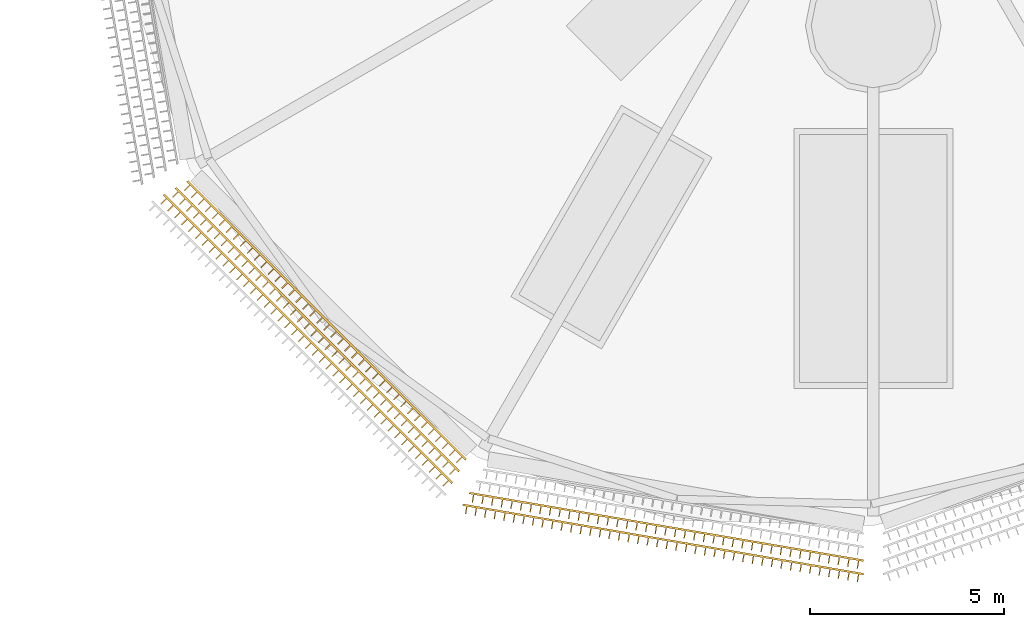
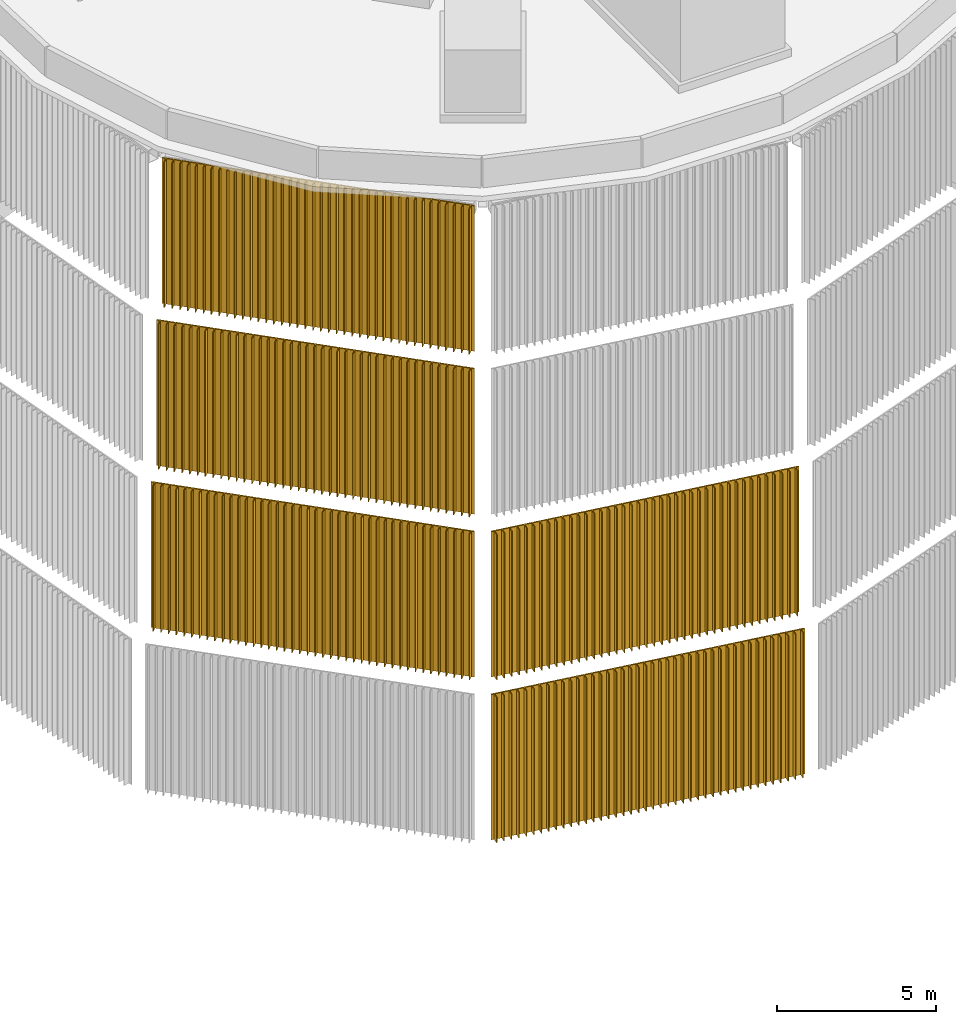
# One storey, part 13 of 24: 5 coverings.
"""IFC4 building model written with IfcOpenShell, lengths in metres."""

from ifc_helpers import new_model, si_unit, direction, frame, origin, place, context, subcontext, project, spatial, polyline, outline, extrude, material, type_object, element, save


model = new_model("IFC4")

# Units and contexts
model_context = context("Model", 3, precision=1e-05, world=origin(), true_north=direction((0.0, 1.0)))
body_context = subcontext(model_context, "Body", "Model", "MODEL_VIEW")
ifc_project = project(units=[si_unit("LENGTHUNIT", "METRE"), si_unit("AREAUNIT", "SQUARE_METRE"), si_unit("VOLUMEUNIT", "CUBIC_METRE"), si_unit("PLANEANGLEUNIT", "RADIAN"), si_unit("MASSUNIT", "GRAM", prefix="KILO")], contexts=[model_context])

# Site, building, storey
site_placement = place(None, origin())
site = spatial("IfcSite", under=ifc_project, at=site_placement, CompositionType="ELEMENT")
building_placement = place(site_placement, origin())
building = spatial("IfcBuilding", under=site, at=building_placement, Name="Rimbun Link Towers", CompositionType="ELEMENT")
storey_placement = place(building_placement, frame((0.0, 0.0, 294.89990234375)))
storey = spatial("IfcBuildingStorey", under=building, at=storey_placement, Name="Roof cap", CompositionType="ELEMENT", Elevation=294.89990234375)

# Coverings
ifc_material = material(Name="Terracotta", Category="masonry")
covering_type = type_object("IfcCoveringType", Name="TERRACOTTA CLADDING screen fins", PredefinedType="CLADDING", material=ifc_material)
covering_1_placement = place(storey_placement, frame((0.0, 0.0, -23.087890625)))
element("IfcCovering", 1, at=covering_1_placement, inside=storey, type_object=covering_type, Name="TERRACOTTA CLADDING screen", PredefinedType="CLADDING", context=body_context, shape_type="SweptSolid", body=[
    extrude(outline(polyline([(21.146484375, -18.873779296875), (21.2548828125, -18.892578125), (21.220703125, -19.089599609375), (21.250244140625, -19.0947265625), (21.284423828125, -18.897705078125), (21.501220703125, -18.935302734375), (21.46728515625, -19.13232421875), (21.49658203125, -19.137451171875), (21.53076171875, -18.9404296875), (21.747802734375, -18.97802734375), (21.713623046875, -19.175048828125), (21.7431640625, -19.18017578125), (21.77734375, -18.983154296875), (21.994140625, -19.020751953125), (21.9599609375, -19.2177734375), (21.989501953125, -19.222900390625), (22.023681640625, -19.02587890625), (22.240478515625, -19.0634765625), (22.206298828125, -19.260498046875), (22.236083984375, -19.265380859375), (22.27001953125, -19.068603515625), (22.487060546875, -19.10595703125), (22.452880859375, -19.302978515625), (22.482421875, -19.30810546875), (22.5166015625, -19.111083984375), (22.7333984375, -19.148681640625), (22.69921875, -19.345703125), (22.728759765625, -19.350830078125), (22.762939453125, -19.15380859375), (22.979736328125, -19.19140625), (22.94580078125, -19.388427734375), (22.97509765625, -19.3935546875), (23.009521484375, -19.196533203125), (23.226318359375, -19.234130859375), (23.192138671875, -19.43115234375), (23.2216796875, -19.436279296875), (23.255859375, -19.2392578125), (23.47265625, -19.276611328125), (23.4384765625, -19.473876953125), (23.468017578125, -19.47900390625), (23.502197265625, -19.281982421875), (23.718994140625, -19.3193359375), (23.684814453125, -19.5166015625), (23.714599609375, -19.521484375), (23.74853515625, -19.324462890625), (23.965576171875, -19.362060546875), (23.931396484375, -19.55908203125), (23.9609375, -19.564208984375), (23.9951171875, -19.3671875), (24.2119140625, -19.40478515625), (24.177734375, -19.601806640625), (24.207275390625, -19.60693359375), (24.241455078125, -19.409912109375), (24.458251953125, -19.447509765625), (24.42431640625, -19.64453125), (24.45361328125, -19.649658203125), (24.48779296875, -19.45263671875), (24.70458984375, -19.489990234375), (24.670654296875, -19.687255859375), (24.7001953125, -19.6923828125), (24.734375, -19.4951171875), (24.951171875, -19.53271484375), (24.9169921875, -19.72998046875), (24.946533203125, -19.735107421875), (24.980712890625, -19.537841796875), (25.197509765625, -19.575439453125), (25.163330078125, -19.7724609375), (25.193115234375, -19.777587890625), (25.22705078125, -19.58056640625), (25.444091796875, -19.6181640625), (25.409912109375, -19.815185546875), (25.439453125, -19.8203125), (25.473388671875, -19.623291015625), (25.6904296875, -19.660888671875), (25.65625, -19.85791015625), (25.685791015625, -19.863037109375), (25.719970703125, -19.666015625), (25.936767578125, -19.70361328125), (25.902587890625, -19.900634765625), (25.93212890625, -19.90576171875), (25.96630859375, -19.70849609375), (26.18310546875, -19.74609375), (26.149169921875, -19.943115234375), (26.1787109375, -19.948486328125), (26.212890625, -19.751220703125), (26.4296875, -19.788818359375), (26.3955078125, -19.98583984375), (26.425048828125, -19.990966796875), (26.459228515625, -19.7939453125), (26.676025390625, -19.83154296875), (26.641845703125, -20.028564453125), (26.67138671875, -20.03369140625), (26.70556640625, -19.836669921875), (26.922607421875, -19.874267578125), (26.888427734375, -20.0712890625), (26.91796875, -20.076416015625), (26.951904296875, -19.87939453125), (27.1689453125, -19.9169921875), (27.134765625, -20.114013671875), (27.164306640625, -20.119140625), (27.198486328125, -19.922119140625), (27.415283203125, -19.95947265625), (27.381103515625, -20.156494140625), (27.410888671875, -20.16162109375), (27.44482421875, -19.964599609375), (27.66162109375, -20.002197265625), (27.627685546875, -20.19921875), (27.6572265625, -20.204345703125), (27.69140625, -20.00732421875), (27.908203125, -20.044921875), (27.8740234375, -20.241943359375), (27.903564453125, -20.2470703125), (27.937744140625, -20.050048828125), (28.154541015625, -20.087646484375), (28.120361328125, -20.28466796875), (28.14990234375, -20.289794921875), (28.18408203125, -20.0927734375), (28.40087890625, -20.130126953125), (28.366943359375, -20.327392578125), (28.396484375, -20.33251953125), (28.4306640625, -20.135498046875), (28.6474609375, -20.1728515625), (28.61328125, -20.3701171875), (28.642822265625, -20.375), (28.677001953125, -20.177978515625), (28.893798828125, -20.215576171875), (28.859619140625, -20.41259765625), (28.889404296875, -20.417724609375), (28.92333984375, -20.220703125), (29.14013671875, -20.25830078125), (29.106201171875, -20.455322265625), (29.1357421875, -20.46044921875), (29.169921875, -20.263427734375), (29.38671875, -20.30078125), (29.3525390625, -20.498046875), (29.382080078125, -20.503173828125), (29.416259765625, -20.30615234375), (29.633056640625, -20.343505859375), (29.59912109375, -20.540771484375), (29.62841796875, -20.5458984375), (29.66259765625, -20.3486328125), (29.87939453125, -20.38623046875), (29.845458984375, -20.58349609375), (29.875, -20.58837890625), (29.9091796875, -20.391357421875), (30.1259765625, -20.428955078125), (30.091796875, -20.6259765625), (30.121337890625, -20.631103515625), (30.155517578125, -20.43408203125), (30.372314453125, -20.4716796875), (30.338134765625, -20.668701171875), (30.367919921875, -20.673828125), (30.40185546875, -20.476806640625), (30.618896484375, -20.514404296875), (30.584716796875, -20.71142578125), (30.6142578125, -20.716552734375), (30.648193359375, -20.519287109375), (30.865234375, -20.556884765625), (30.8310546875, -20.754150390625), (30.860595703125, -20.75927734375), (30.894775390625, -20.56201171875), (31.111572265625, -20.599609375), (31.077392578125, -20.796630859375), (31.10693359375, -20.802001953125), (31.14111328125, -20.604736328125), (31.35791015625, -20.642333984375), (31.323974609375, -20.83935546875), (31.353515625, -20.844482421875), (31.3876953125, -20.6474609375), (31.49609375, -20.666259765625), (31.49609375, -20.615478515625), (21.173095703125, -18.827880859375), (21.146484375, -18.873779296875)])), origin(), (0.0, 0.0, 1.0), 5.575927734375),
])
covering_2_placement = place(storey_placement, frame((0.0, 0.0, -17.087890625)))
element("IfcCovering", 2, at=covering_2_placement, inside=storey, type_object=covering_type, Name="TERRACOTTA CLADDING screen", PredefinedType="CLADDING", context=body_context, shape_type="SweptSolid", body=[
    extrude(outline(polyline([(13.4345703125, -10.867919921875), (13.5126953125, -10.94580078125), (13.37109375, -11.087158203125), (13.392333984375, -11.1083984375), (13.53369140625, -10.967041015625), (13.68994140625, -11.123046875), (13.548583984375, -11.2646484375), (13.569580078125, -11.285888671875), (13.711181640625, -11.144287109375), (13.8671875, -11.300537109375), (13.725830078125, -11.44189453125), (13.7470703125, -11.463134765625), (13.888427734375, -11.32177734375), (14.044677734375, -11.477783203125), (13.903076171875, -11.619140625), (13.92431640625, -11.640380859375), (14.06591796875, -11.4990234375), (14.221923828125, -11.655029296875), (14.08056640625, -11.79638671875), (14.101806640625, -11.81787109375), (14.2431640625, -11.67626953125), (14.399169921875, -11.83251953125), (14.2578125, -11.973876953125), (14.279052734375, -11.9951171875), (14.42041015625, -11.853759765625), (14.576416015625, -12.009765625), (14.43505859375, -12.151123046875), (14.456298828125, -12.17236328125), (14.597900390625, -12.031005859375), (14.75390625, -12.18701171875), (14.6123046875, -12.32861328125), (14.6337890625, -12.349609375), (14.775146484375, -12.208251953125), (14.93115234375, -12.364501953125), (14.789794921875, -12.505859375), (14.81103515625, -12.527099609375), (14.952392578125, -12.385498046875), (15.1083984375, -12.541748046875), (14.967041015625, -12.68310546875), (14.98828125, -12.704345703125), (15.129638671875, -12.56298828125), (15.285888671875, -12.718994140625), (15.144287109375, -12.860595703125), (15.16552734375, -12.881591796875), (15.30712890625, -12.740234375), (15.463134765625, -12.896484375), (15.32177734375, -13.037841796875), (15.343017578125, -13.05908203125), (15.484375, -12.91748046875), (15.640380859375, -13.07373046875), (15.4990234375, -13.215087890625), (15.520263671875, -13.236328125), (15.66162109375, -13.094970703125), (15.81787109375, -13.251220703125), (15.676513671875, -13.392578125), (15.697509765625, -13.413818359375), (15.839111328125, -13.272216796875), (15.9951171875, -13.428466796875), (15.853759765625, -13.56982421875), (15.875, -13.591064453125), (16.016357421875, -13.44970703125), (16.172607421875, -13.605712890625), (16.031005859375, -13.7470703125), (16.05224609375, -13.768310546875), (16.193603515625, -13.626953125), (16.349853515625, -13.782958984375), (16.20849609375, -13.924560546875), (16.2294921875, -13.94580078125), (16.37109375, -13.80419921875), (16.527099609375, -13.96044921875), (16.3857421875, -14.101806640625), (16.406982421875, -14.123046875), (16.54833984375, -13.981689453125), (16.70458984375, -14.1376953125), (16.56298828125, -14.279052734375), (16.584228515625, -14.30029296875), (16.7255859375, -14.158935546875), (16.8818359375, -14.31494140625), (16.740478515625, -14.456298828125), (16.76171875, -14.477783203125), (16.903076171875, -14.336181640625), (17.05908203125, -14.4921875), (16.917724609375, -14.6337890625), (16.93896484375, -14.655029296875), (17.080322265625, -14.513671875), (17.236328125, -14.669677734375), (17.094970703125, -14.81103515625), (17.1162109375, -14.832275390625), (17.2578125, -14.69091796875), (17.413818359375, -14.846923828125), (17.272216796875, -14.98828125), (17.293701171875, -15.009521484375), (17.43505859375, -14.8681640625), (17.591064453125, -15.0244140625), (17.44970703125, -15.165771484375), (17.470947265625, -15.18701171875), (17.6123046875, -15.04541015625), (17.768310546875, -15.20166015625), (17.626953125, -15.343017578125), (17.648193359375, -15.3642578125), (17.78955078125, -15.222900390625), (17.94580078125, -15.37890625), (17.80419921875, -15.5205078125), (17.825439453125, -15.54150390625), (17.967041015625, -15.400146484375), (18.123046875, -15.556396484375), (17.981689453125, -15.69775390625), (18.0029296875, -15.718994140625), (18.144287109375, -15.577392578125), (18.30029296875, -15.733642578125), (18.158935546875, -15.875), (18.18017578125, -15.896240234375), (18.321533203125, -15.7548828125), (18.477783203125, -15.910888671875), (18.336181640625, -16.052490234375), (18.357421875, -16.073486328125), (18.498779296875, -15.93212890625), (18.655029296875, -16.08837890625), (18.513671875, -16.229736328125), (18.534912109375, -16.2509765625), (18.67626953125, -16.109619140625), (18.83251953125, -16.265625), (18.69091796875, -16.406982421875), (18.712158203125, -16.42822265625), (18.853515625, -16.286865234375), (19.009765625, -16.44287109375), (18.868408203125, -16.58447265625), (18.889404296875, -16.605712890625), (19.031005859375, -16.464111328125), (19.18701171875, -16.620361328125), (19.045654296875, -16.76171875), (19.06689453125, -16.782958984375), (19.208251953125, -16.6416015625), (19.364501953125, -16.797607421875), (19.222900390625, -16.93896484375), (19.244140625, -16.960205078125), (19.385498046875, -16.81884765625), (19.541748046875, -16.974853515625), (19.400390625, -17.1162109375), (19.42138671875, -17.1376953125), (19.56298828125, -16.99609375), (19.718994140625, -17.152099609375), (19.57763671875, -17.293701171875), (19.598876953125, -17.31494140625), (19.740234375, -17.173583984375), (19.896240234375, -17.32958984375), (19.7548828125, -17.470947265625), (19.776123046875, -17.4921875), (19.91748046875, -17.350830078125), (20.07373046875, -17.5068359375), (19.93212890625, -17.648193359375), (19.95361328125, -17.66943359375), (20.094970703125, -17.528076171875), (20.2509765625, -17.68408203125), (20.109619140625, -17.82568359375), (20.130859375, -17.846923828125), (20.272216796875, -17.705322265625), (20.42822265625, -17.861572265625), (20.286865234375, -18.0029296875), (20.30810546875, -18.024169921875), (20.449462890625, -17.8828125), (20.605712890625, -18.038818359375), (20.464111328125, -18.180419921875), (20.4853515625, -18.201416015625), (20.626953125, -18.06005859375), (20.782958984375, -18.21630859375), (20.6416015625, -18.357666015625), (20.662841796875, -18.37890625), (20.80419921875, -18.2373046875), (20.882080078125, -18.3154296875), (20.908203125, -18.2705078125), (13.4794921875, -10.841796875), (13.4345703125, -10.867919921875)])), origin(), (0.0, 0.0, 1.0), 5.575927734375),
])
covering_3_placement = place(storey_placement, frame((0.0, 0.0, -17.087890625)))
element("IfcCovering", 3, at=covering_3_placement, inside=storey, type_object=covering_type, Name="TERRACOTTA CLADDING screen", PredefinedType="CLADDING", context=body_context, shape_type="SweptSolid", body=[
    extrude(outline(polyline([(21.3212890625, -18.57080078125), (21.4306640625, -18.589599609375), (21.39697265625, -18.78662109375), (21.426513671875, -18.791748046875), (21.460205078125, -18.594482421875), (21.678955078125, -18.632080078125), (21.64501953125, -18.829345703125), (21.674560546875, -18.834228515625), (21.70849609375, -18.63720703125), (21.927001953125, -18.6748046875), (21.893310546875, -18.871826171875), (21.9228515625, -18.876953125), (21.95654296875, -18.6796875), (22.17529296875, -18.71728515625), (22.141357421875, -18.914306640625), (22.1708984375, -18.91943359375), (22.204833984375, -18.722412109375), (22.42333984375, -18.759765625), (22.389404296875, -18.95703125), (22.419189453125, -18.9619140625), (22.452880859375, -18.764892578125), (22.67138671875, -18.802490234375), (22.6376953125, -18.99951171875), (22.667236328125, -19.004638671875), (22.701171875, -18.8076171875), (22.919677734375, -18.844970703125), (22.885986328125, -19.0419921875), (22.915283203125, -19.047119140625), (22.94921875, -18.85009765625), (23.167724609375, -18.8876953125), (23.134033203125, -19.084716796875), (23.16357421875, -19.089599609375), (23.197509765625, -18.892578125), (23.416015625, -18.93017578125), (23.382080078125, -19.127197265625), (23.411865234375, -19.13232421875), (23.445556640625, -18.935302734375), (23.664306640625, -18.97265625), (23.63037109375, -19.169921875), (23.659912109375, -19.1748046875), (23.693603515625, -18.977783203125), (23.912353515625, -19.015380859375), (23.87841796875, -19.21240234375), (23.908203125, -19.217529296875), (23.94189453125, -19.020263671875), (24.160400390625, -19.057861328125), (24.126708984375, -19.2548828125), (24.15625, -19.260009765625), (24.190185546875, -19.06298828125), (24.40869140625, -19.100341796875), (24.374755859375, -19.297607421875), (24.404296875, -19.302490234375), (24.438232421875, -19.10546875), (24.65673828125, -19.14306640625), (24.623046875, -19.340087890625), (24.652587890625, -19.34521484375), (24.686279296875, -19.148193359375), (24.905029296875, -19.185546875), (24.87109375, -19.3828125), (24.900634765625, -19.3876953125), (24.9345703125, -19.190673828125), (25.153076171875, -19.22802734375), (25.119384765625, -19.42529296875), (25.14892578125, -19.430419921875), (25.1826171875, -19.233154296875), (25.4013671875, -19.270751953125), (25.367431640625, -19.4677734375), (25.39697265625, -19.472900390625), (25.430908203125, -19.27587890625), (25.6494140625, -19.313232421875), (25.615478515625, -19.510498046875), (25.645263671875, -19.515380859375), (25.678955078125, -19.318359375), (25.897705078125, -19.355712890625), (25.86376953125, -19.552978515625), (25.893310546875, -19.55810546875), (25.92724609375, -19.36083984375), (26.145751953125, -19.3984375), (26.112060546875, -19.595458984375), (26.1416015625, -19.6005859375), (26.17529296875, -19.403564453125), (26.393798828125, -19.44091796875), (26.360107421875, -19.63818359375), (26.3896484375, -19.643310546875), (26.423583984375, -19.446044921875), (26.64208984375, -19.483642578125), (26.6083984375, -19.6806640625), (26.6376953125, -19.685791015625), (26.671630859375, -19.488525390625), (26.89013671875, -19.526123046875), (26.8564453125, -19.72314453125), (26.885986328125, -19.728271484375), (26.919921875, -19.53125), (27.138427734375, -19.568603515625), (27.1044921875, -19.765869140625), (27.13427734375, -19.77099609375), (27.16796875, -19.57373046875), (27.38671875, -19.611328125), (27.352783203125, -19.808349609375), (27.38232421875, -19.8134765625), (27.416015625, -19.6162109375), (27.634765625, -19.65380859375), (27.600830078125, -19.85107421875), (27.630615234375, -19.85595703125), (27.664306640625, -19.658935546875), (27.8828125, -19.6962890625), (27.84912109375, -19.8935546875), (27.878662109375, -19.898681640625), (27.91259765625, -19.701416015625), (28.131103515625, -19.739013671875), (28.09716796875, -19.93603515625), (28.126708984375, -19.941162109375), (28.16064453125, -19.744140625), (28.379150390625, -19.781494140625), (28.345458984375, -19.978759765625), (28.375, -19.983642578125), (28.40869140625, -19.78662109375), (28.62744140625, -19.82421875), (28.593505859375, -20.021240234375), (28.623046875, -20.0263671875), (28.656982421875, -19.8291015625), (28.87548828125, -19.86669921875), (28.841796875, -20.063720703125), (28.871337890625, -20.06884765625), (28.905029296875, -19.871826171875), (29.123779296875, -19.9091796875), (29.08984375, -20.1064453125), (29.119384765625, -20.111572265625), (29.1533203125, -19.914306640625), (29.371826171875, -19.951904296875), (29.337890625, -20.14892578125), (29.36767578125, -20.154052734375), (29.4013671875, -19.956787109375), (29.6201171875, -19.994384765625), (29.586181640625, -20.19140625), (29.61572265625, -20.196533203125), (29.649658203125, -19.99951171875), (29.8681640625, -20.037109375), (29.83447265625, -20.234130859375), (29.864013671875, -20.2392578125), (29.897705078125, -20.0419921875), (30.1162109375, -20.07958984375), (30.08251953125, -20.276611328125), (30.112060546875, -20.28173828125), (30.14599609375, -20.084716796875), (30.364501953125, -20.1220703125), (30.330810546875, -20.319091796875), (30.360107421875, -20.32421875), (30.39404296875, -20.127197265625), (30.61279296875, -20.164794921875), (30.578857421875, -20.36181640625), (30.6083984375, -20.366943359375), (30.64208984375, -20.169921875), (30.86083984375, -20.207275390625), (30.826904296875, -20.404296875), (30.856689453125, -20.409423828125), (30.890380859375, -20.21240234375), (31.10888671875, -20.249755859375), (31.0751953125, -20.447021484375), (31.104736328125, -20.451904296875), (31.138427734375, -20.2548828125), (31.357177734375, -20.29248046875), (31.3232421875, -20.489501953125), (31.352783203125, -20.49462890625), (31.38671875, -20.297607421875), (31.49609375, -20.316162109375), (31.49609375, -20.265380859375), (21.34814453125, -18.524658203125), (21.3212890625, -18.57080078125)])), origin(), (0.0, 0.0, 1.0), 5.575927734375),
])
covering_4_placement = place(storey_placement, frame((0.0, 0.0, -11.087890625)))
element("IfcCovering", 4, at=covering_4_placement, inside=storey, type_object=covering_type, Name="TERRACOTTA CLADDING screen", PredefinedType="CLADDING", context=body_context, shape_type="SweptSolid", body=[
    extrude(outline(polyline([(13.737548828125, -10.69287109375), (13.81640625, -10.771484375), (13.6748046875, -10.912841796875), (13.696044921875, -10.93408203125), (13.83740234375, -10.79248046875), (13.994873046875, -10.949951171875), (13.853515625, -11.09130859375), (13.87451171875, -11.112548828125), (14.01611328125, -10.97119140625), (14.17333984375, -11.12841796875), (14.031982421875, -11.27001953125), (14.052978515625, -11.291015625), (14.194580078125, -11.149658203125), (14.351806640625, -11.306884765625), (14.21044921875, -11.448486328125), (14.231689453125, -11.469482421875), (14.373046875, -11.328125), (14.530517578125, -11.485595703125), (14.388916015625, -11.626953125), (14.41015625, -11.648193359375), (14.551513671875, -11.506591796875), (14.708984375, -11.6640625), (14.5673828125, -11.805419921875), (14.588623046875, -11.82666015625), (14.72998046875, -11.685302734375), (14.887451171875, -11.842529296875), (14.74609375, -11.98388671875), (14.76708984375, -12.005126953125), (14.90869140625, -11.86376953125), (15.06591796875, -12.02099609375), (14.924560546875, -12.16259765625), (14.94580078125, -12.18359375), (15.087158203125, -12.042236328125), (15.244384765625, -12.19970703125), (15.10302734375, -12.341064453125), (15.124267578125, -12.3623046875), (15.265625, -12.220703125), (15.423095703125, -12.378173828125), (15.281494140625, -12.51953125), (15.302734375, -12.540771484375), (15.444091796875, -12.3994140625), (15.6015625, -12.556640625), (15.460205078125, -12.697998046875), (15.481201171875, -12.71923828125), (15.622802734375, -12.577880859375), (15.780029296875, -12.735107421875), (15.638671875, -12.876708984375), (15.659912109375, -12.897705078125), (15.80126953125, -12.75634765625), (15.95849609375, -12.913818359375), (15.817138671875, -13.05517578125), (15.83837890625, -13.076416015625), (15.979736328125, -12.93505859375), (16.13720703125, -13.09228515625), (15.99560546875, -13.233642578125), (16.016845703125, -13.2548828125), (16.158203125, -13.113525390625), (16.315673828125, -13.270751953125), (16.17431640625, -13.412109375), (16.195556640625, -13.433349609375), (16.3369140625, -13.2919921875), (16.494140625, -13.44921875), (16.352783203125, -13.5908203125), (16.3740234375, -13.612060546875), (16.515380859375, -13.470458984375), (16.672607421875, -13.627685546875), (16.53125, -13.769287109375), (16.552490234375, -13.79052734375), (16.69384765625, -13.649169921875), (16.851318359375, -13.806396484375), (16.709716796875, -13.94775390625), (16.73095703125, -13.968994140625), (16.87255859375, -13.82763671875), (17.02978515625, -13.98486328125), (16.888427734375, -14.126220703125), (16.90966796875, -14.1474609375), (17.051025390625, -14.006103515625), (17.208251953125, -14.163330078125), (17.06689453125, -14.304931640625), (17.088134765625, -14.326171875), (17.2294921875, -14.1845703125), (17.38671875, -14.342041015625), (17.245361328125, -14.4833984375), (17.2666015625, -14.504638671875), (17.407958984375, -14.36328125), (17.5654296875, -14.5205078125), (17.423828125, -14.661865234375), (17.445068359375, -14.68310546875), (17.586669921875, -14.541748046875), (17.743896484375, -14.698974609375), (17.6025390625, -14.84033203125), (17.623779296875, -14.861572265625), (17.76513671875, -14.72021484375), (17.92236328125, -14.87744140625), (17.781005859375, -15.01904296875), (17.80224609375, -15.040283203125), (17.943603515625, -14.898681640625), (18.100830078125, -15.05615234375), (17.95947265625, -15.197509765625), (17.980712890625, -15.21875), (18.122314453125, -15.077392578125), (18.279541015625, -15.234619140625), (18.137939453125, -15.3759765625), (18.1591796875, -15.397216796875), (18.30078125, -15.255859375), (18.4580078125, -15.4130859375), (18.316650390625, -15.554443359375), (18.337890625, -15.57568359375), (18.479248046875, -15.434326171875), (18.636474609375, -15.591796875), (18.4951171875, -15.733154296875), (18.516357421875, -15.75439453125), (18.65771484375, -15.61279296875), (18.81494140625, -15.770263671875), (18.673583984375, -15.91162109375), (18.69482421875, -15.932861328125), (18.836181640625, -15.79150390625), (18.99365234375, -15.94873046875), (18.852294921875, -16.090087890625), (18.873291015625, -16.111328125), (19.014892578125, -15.969970703125), (19.172119140625, -16.127197265625), (19.03076171875, -16.268798828125), (19.052001953125, -16.289794921875), (19.193359375, -16.1484375), (19.3505859375, -16.305908203125), (19.209228515625, -16.447265625), (19.23046875, -16.468505859375), (19.371826171875, -16.326904296875), (19.529296875, -16.484375), (19.3876953125, -16.625732421875), (19.408935546875, -16.64697265625), (19.55029296875, -16.505615234375), (19.707763671875, -16.662841796875), (19.56640625, -16.80419921875), (19.58740234375, -16.825439453125), (19.72900390625, -16.68408203125), (19.88623046875, -16.84130859375), (19.744873046875, -16.98291015625), (19.76611328125, -17.00390625), (19.907470703125, -16.862548828125), (20.064697265625, -17.02001953125), (19.92333984375, -17.161376953125), (19.944580078125, -17.1826171875), (20.0859375, -17.041015625), (20.243408203125, -17.198486328125), (20.101806640625, -17.33984375), (20.123046875, -17.361083984375), (20.264404296875, -17.219482421875), (20.421875, -17.376953125), (20.280517578125, -17.518310546875), (20.301513671875, -17.53955078125), (20.443115234375, -17.398193359375), (20.600341796875, -17.555419921875), (20.458984375, -17.697021484375), (20.47998046875, -17.718017578125), (20.62158203125, -17.57666015625), (20.77880859375, -17.73388671875), (20.637451171875, -17.87548828125), (20.65869140625, -17.896484375), (20.800048828125, -17.755126953125), (20.95751953125, -17.91259765625), (20.81591796875, -18.053955078125), (20.837158203125, -18.0751953125), (20.978515625, -17.93359375), (21.05712890625, -18.012451171875), (21.0830078125, -17.967529296875), (13.782470703125, -10.6669921875), (13.737548828125, -10.69287109375)])), origin(), (0.0, 0.0, 1.0), 5.575927734375),
])
covering_5_placement = place(storey_placement, frame((0.0, 0.0, -5.087890625)))
element("IfcCovering", 5, at=covering_5_placement, inside=storey, type_object=covering_type, Name="TERRACOTTA CLADDING screen", PredefinedType="CLADDING", context=body_context, shape_type="SweptSolid", body=[
    extrude(outline(polyline([(14.040771484375, -10.517822265625), (14.1201171875, -10.596923828125), (13.978515625, -10.738525390625), (13.999755859375, -10.759765625), (14.14111328125, -10.618408203125), (14.2998046875, -10.77685546875), (14.158447265625, -10.918212890625), (14.1796875, -10.939453125), (14.321044921875, -10.798095703125), (14.4794921875, -10.95654296875), (14.338134765625, -11.097900390625), (14.359375, -11.119384765625), (14.500732421875, -10.977783203125), (14.659423828125, -11.136474609375), (14.51806640625, -11.27783203125), (14.539306640625, -11.299072265625), (14.6806640625, -11.15771484375), (14.839111328125, -11.316162109375), (14.69775390625, -11.45751953125), (14.718994140625, -11.478759765625), (14.8603515625, -11.33740234375), (15.018798828125, -11.49609375), (14.87744140625, -11.637451171875), (14.898681640625, -11.65869140625), (15.040283203125, -11.51708984375), (15.19873046875, -11.67578125), (15.057373046875, -11.817138671875), (15.07861328125, -11.83837890625), (15.219970703125, -11.697021484375), (15.37841796875, -11.855712890625), (15.237060546875, -11.9970703125), (15.25830078125, -12.018310546875), (15.399658203125, -11.876708984375), (15.558349609375, -12.035400390625), (15.4169921875, -12.1767578125), (15.43798828125, -12.197998046875), (15.57958984375, -12.056640625), (15.738037109375, -12.215087890625), (15.5966796875, -12.356689453125), (15.617919921875, -12.377685546875), (15.75927734375, -12.236328125), (15.91796875, -12.39501953125), (15.776611328125, -12.536376953125), (15.797607421875, -12.5576171875), (15.939208984375, -12.416015625), (16.09765625, -12.57470703125), (15.956298828125, -12.716064453125), (15.9775390625, -12.7373046875), (16.118896484375, -12.595947265625), (16.277587890625, -12.75439453125), (16.135986328125, -12.89599609375), (16.1572265625, -12.9169921875), (16.298583984375, -12.775634765625), (16.457275390625, -12.934326171875), (16.31591796875, -13.07568359375), (16.3369140625, -13.096923828125), (16.478515625, -12.95556640625), (16.636962890625, -13.114013671875), (16.49560546875, -13.255615234375), (16.516845703125, -13.276611328125), (16.658203125, -13.13525390625), (16.81689453125, -13.2939453125), (16.67529296875, -13.435302734375), (16.696533203125, -13.45654296875), (16.837890625, -13.315185546875), (16.99658203125, -13.4736328125), (16.855224609375, -13.614990234375), (16.87646484375, -13.63623046875), (17.017822265625, -13.494873046875), (17.176513671875, -13.6533203125), (17.034912109375, -13.794921875), (17.05615234375, -13.816162109375), (17.197509765625, -13.6748046875), (17.356201171875, -13.833251953125), (17.21484375, -13.974609375), (17.236083984375, -13.995849609375), (17.37744140625, -13.8544921875), (17.535888671875, -14.012939453125), (17.39453125, -14.154296875), (17.415771484375, -14.175537109375), (17.55712890625, -14.0341796875), (17.7158203125, -14.19287109375), (17.574462890625, -14.334228515625), (17.595703125, -14.35546875), (17.737060546875, -14.214111328125), (17.8955078125, -14.37255859375), (17.754150390625, -14.513916015625), (17.775390625, -14.53515625), (17.916748046875, -14.393798828125), (18.0751953125, -14.552490234375), (17.933837890625, -14.69384765625), (17.955078125, -14.715087890625), (18.0966796875, -14.573486328125), (18.255126953125, -14.732177734375), (18.11376953125, -14.87353515625), (18.135009765625, -14.894775390625), (18.2763671875, -14.75341796875), (18.434814453125, -14.912109375), (18.29345703125, -15.053466796875), (18.314697265625, -15.07470703125), (18.4560546875, -14.93310546875), (18.61474609375, -15.091796875), (18.473388671875, -15.233154296875), (18.494384765625, -15.25439453125), (18.635986328125, -15.113037109375), (18.79443359375, -15.271484375), (18.653076171875, -15.4130859375), (18.67431640625, -15.43408203125), (18.815673828125, -15.292724609375), (18.974365234375, -15.451416015625), (18.8330078125, -15.5927734375), (18.85400390625, -15.614013671875), (18.99560546875, -15.472412109375), (19.154052734375, -15.631103515625), (19.0126953125, -15.7724609375), (19.033935546875, -15.793701171875), (19.17529296875, -15.65234375), (19.333984375, -15.810791015625), (19.1923828125, -15.952392578125), (19.213623046875, -15.973388671875), (19.35498046875, -15.83203125), (19.513671875, -15.99072265625), (19.372314453125, -16.132080078125), (19.393310546875, -16.1533203125), (19.534912109375, -16.011962890625), (19.693359375, -16.17041015625), (19.552001953125, -16.31201171875), (19.5732421875, -16.3330078125), (19.714599609375, -16.191650390625), (19.873291015625, -16.350341796875), (19.731689453125, -16.49169921875), (19.7529296875, -16.512939453125), (19.894287109375, -16.37158203125), (20.052978515625, -16.530029296875), (19.91162109375, -16.67138671875), (19.932861328125, -16.692626953125), (20.07421875, -16.55126953125), (20.23291015625, -16.709716796875), (20.09130859375, -16.851318359375), (20.112548828125, -16.87255859375), (20.25390625, -16.731201171875), (20.41259765625, -16.8896484375), (20.271240234375, -17.031005859375), (20.29248046875, -17.05224609375), (20.433837890625, -16.910888671875), (20.59228515625, -17.0693359375), (20.450927734375, -17.210693359375), (20.47216796875, -17.23193359375), (20.613525390625, -17.090576171875), (20.772216796875, -17.249267578125), (20.630615234375, -17.390625), (20.652099609375, -17.411865234375), (20.79345703125, -17.2705078125), (20.951904296875, -17.428955078125), (20.810546875, -17.5703125), (20.831787109375, -17.591552734375), (20.97314453125, -17.4501953125), (21.131591796875, -17.60888671875), (20.990234375, -17.750244140625), (21.011474609375, -17.771484375), (21.153076171875, -17.6298828125), (21.232177734375, -17.709228515625), (21.258056640625, -17.664306640625), (14.085693359375, -10.491943359375), (14.040771484375, -10.517822265625)])), origin(), (0.0, 0.0, 1.0), 5.575927734375),
])

save(model, "model.ifc")
